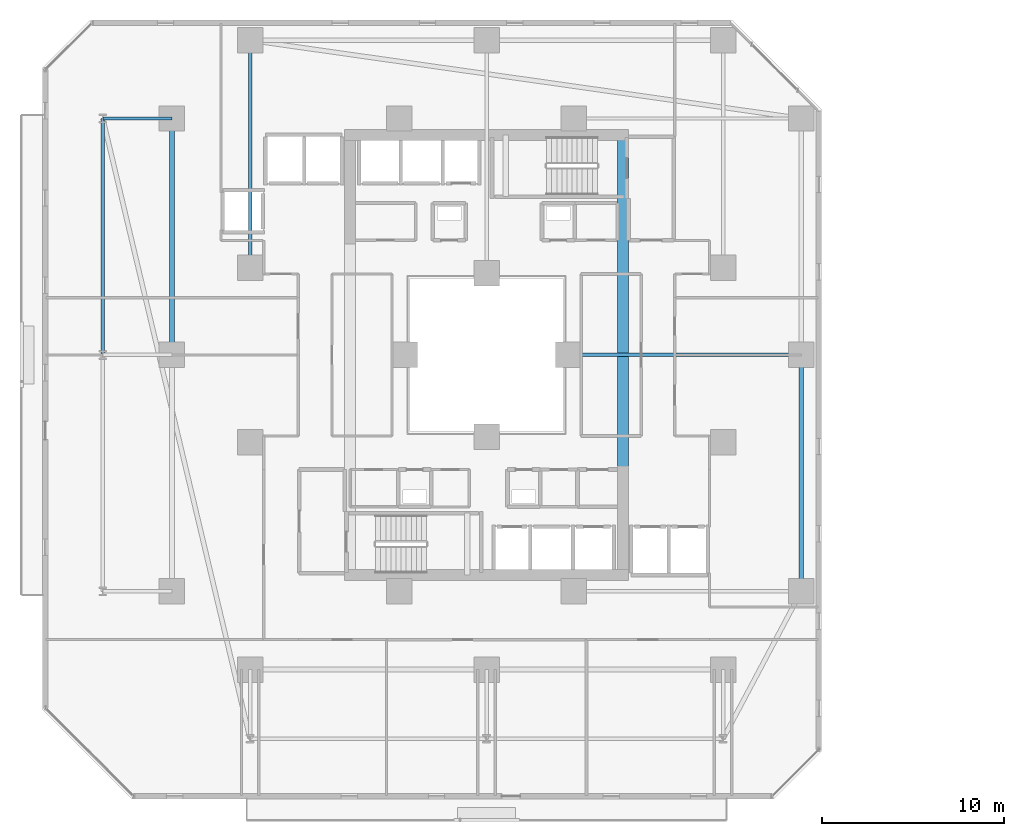
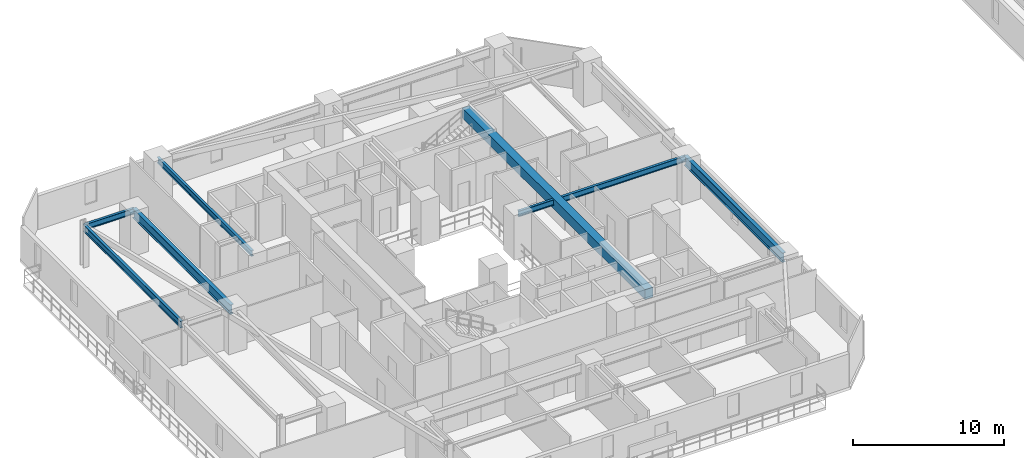
# One storey, part 6 of 33: 7 beams.
"""IFC4 building model written with IfcOpenShell, lengths in metres."""

from ifc_helpers import new_model, si_unit, direction, frame, origin, origin_2d, place, context, subcontext, project, spatial, rectangle, i_section, extrude, material, material_profile, profile_set, type_object, element, save


model = new_model("IFC4")

# Units and contexts
model_context = context("Model", 3, precision=1e-05, world=origin(), true_north=direction((0.0, 1.0)))
body_context = subcontext(model_context, "Body", "Model", "MODEL_VIEW")
ifc_project = project(units=[si_unit("LENGTHUNIT", "METRE"), si_unit("AREAUNIT", "SQUARE_METRE"), si_unit("VOLUMEUNIT", "CUBIC_METRE"), si_unit("PLANEANGLEUNIT", "RADIAN"), si_unit("MASSUNIT", "GRAM", prefix="KILO")], contexts=[model_context])

# Site, building, storey
site_placement = place(None, origin())
site = spatial("IfcSite", under=ifc_project, at=site_placement, CompositionType="ELEMENT")
building_placement = place(site_placement, origin())
building = spatial("IfcBuilding", under=site, at=building_placement, Name="Thornwick Lancets Civic Towers", CompositionType="ELEMENT")
storey_placement = place(building_placement, frame((0.0, 0.0, 42.300048828125)))
storey = spatial("IfcBuildingStorey", under=building, at=storey_placement, Name="L10", CompositionType="ELEMENT", Elevation=42.300048828125)

# Beams
ifc_material_1 = material(Name="Concrete C60/75", Category="concrete")
ifc_material_profile_1 = material_profile(ifc_material_1, rectangle(XDim=0.60009765625, YDim=0.800048828125, at=origin_2d()), Name="RC 600x800")
ifc_profile_set_1 = profile_set([ifc_material_profile_1], Name="Concrete C60/75")
beam_type_1 = type_object("IfcBeamType", Name="BM_COUP_RC800", PredefinedType="BEAM", material=ifc_profile_set_1)
beam_1_placement = place(storey_placement, frame((33.0, 14.89990234375, 2.9599609375), z_axis=(0.0, 1.0, 0.0), x_axis=(-1.0, 0.0, 0.0)))
element("IfcBeam", 1, at=beam_1_placement, inside=storey, type_object=beam_type_1, Name="CB-L10-A1", PredefinedType="BEAM", context=body_context, shape_type="SweptSolid", body=[
    extrude(rectangle(XDim=0.60009765625, YDim=0.800048828125, at=origin_2d()), origin(), (0.0, 0.0, 1.0), 24.2001953125),
])
ifc_material_2 = material(Name="Steel S355JR", Category="steel")
ifc_material_profile_2 = material_profile(ifc_material_2, i_section(OverallWidth=0.2119140625, OverallDepth=0.54443359375, WebThickness=0.0126953125, FlangeThickness=0.021240234375, FilletRadius=0.0126953125, at=origin_2d()), Name="UKB 533x210x122")
ifc_profile_set_2 = profile_set([ifc_material_profile_2], Name="Steel S355JR")
beam_type_2 = type_object("IfcBeamType", Name="BM_EDGE_533_122", PredefinedType="SPANDREL", material=ifc_profile_set_2)
beam_2_placement = place(storey_placement, frame((4.39990234375, 27.080078125, 3.087646484375), z_axis=(0.0, 1.0, 0.0), x_axis=(-1.0, 0.0, 0.0)))
element("IfcBeam", 2, at=beam_2_placement, inside=storey, type_object=beam_type_2, Name="BM-EDGE-L10-A-S3-2", PredefinedType="SPANDREL", context=body_context, shape_type="SweptSolid", body=[
    extrude(i_section(OverallWidth=0.2119140625, OverallDepth=0.54443359375, WebThickness=0.0126953125, FlangeThickness=0.021240234375, FilletRadius=0.0126953125, at=origin_2d()), origin(), (0.0, 0.0, 1.0), 12.919921875),
])
ifc_material_profile_3 = material_profile(ifc_material_2, i_section(OverallWidth=0.26806640625, OverallDepth=0.769775390625, WebThickness=0.015625, FlangeThickness=0.025390625, FilletRadius=0.0166015625, at=origin_2d()), Name="UKB 762x267x197")
ifc_profile_set_3 = profile_set([ifc_material_profile_3], Name="Steel S355JR")
beam_type_3 = type_object("IfcBeamType", Name="BM_GIRD_762_197", PredefinedType="BEAM", material=ifc_profile_set_3)
beam_3_placement = place(storey_placement, frame((42.800048828125, 14.0, 2.97509765625), z_axis=(0.0, 1.0, 0.0), x_axis=(-1.0, 0.0, 0.0)))
element("IfcBeam", 3, at=beam_3_placement, inside=storey, type_object=beam_type_3, Name="BM-SPINE-L10-A-3-4", PredefinedType="BEAM", context=body_context, shape_type="SweptSolid", body=[
    extrude(i_section(OverallWidth=0.26806640625, OverallDepth=0.769775390625, WebThickness=0.015625, FlangeThickness=0.025390625, FilletRadius=0.0166015625, at=origin_2d()), origin(), (0.0, 0.0, 1.0), 13.0),
])
beam_4_placement = place(storey_placement, frame((8.199951171875, 27.080078125, 2.97509765625), z_axis=(0.0, 1.0, 0.0), x_axis=(-1.0, 0.0, 0.0)))
element("IfcBeam", 4, at=beam_4_placement, inside=storey, type_object=beam_type_3, Name="BM-SPINE-L10-A-10-11", PredefinedType="BEAM", context=body_context, shape_type="SweptSolid", body=[
    extrude(i_section(OverallWidth=0.26806640625, OverallDepth=0.769775390625, WebThickness=0.015625, FlangeThickness=0.025390625, FilletRadius=0.0166015625, at=origin_2d()), origin(), (0.0, 0.0, 1.0), 12.919921875),
])
ifc_material_profile_4 = material_profile(ifc_material_2, i_section(OverallWidth=0.19189453125, OverallDepth=0.46337890625, WebThickness=0.010498046875, FlangeThickness=0.017578125, FilletRadius=0.01025390625, at=origin_2d()), Name="UKB 457x191x89")
ifc_profile_set_4 = profile_set([ifc_material_profile_4], Name="Steel S355JR")
beam_type_4 = type_object("IfcBeamType", Name="BM_JOIST_457_89", PredefinedType="JOIST", material=ifc_profile_set_4)
beam_5_placement = place(storey_placement, frame((30.0, 27.0, 3.128173828125), z_axis=(1.0, 0.0, 0.0), x_axis=(0.0, 1.0, 0.0)))
element("IfcBeam", 5, at=beam_5_placement, inside=storey, type_object=beam_type_4, Name="BM-RADIN-L10-A05", PredefinedType="JOIST", context=body_context, shape_type="SweptSolid", body=[
    extrude(i_section(OverallWidth=0.19189453125, OverallDepth=0.46337890625, WebThickness=0.010498046875, FlangeThickness=0.017578125, FilletRadius=0.01025390625, at=origin_2d()), origin(), (0.0, 0.0, 1.0), 12.800048828125),
])
beam_6_placement = place(storey_placement, frame((12.5, 31.800048828125, 3.128173828125), z_axis=(0.0, 1.0, 0.0), x_axis=(-1.0, 0.0, 0.0)))
element("IfcBeam", 6, at=beam_6_placement, inside=storey, type_object=beam_type_4, Name="BM-RADIN-L10-A07", PredefinedType="JOIST", context=body_context, shape_type="SweptSolid", body=[
    extrude(i_section(OverallWidth=0.19189453125, OverallDepth=0.46337890625, WebThickness=0.010498046875, FlangeThickness=0.017578125, FilletRadius=0.01025390625, at=origin_2d()), origin(), (0.0, 0.0, 1.0), 12.5),
])
beam_7_placement = place(storey_placement, frame((8.199951171875, 40.0, 3.128173828125), z_axis=(-1.0, 0.0, 0.0), x_axis=(0.0, -1.0, 0.0)))
element("IfcBeam", 7, at=beam_7_placement, inside=storey, type_object=beam_type_4, Name="BM-RAD-L10-A12", PredefinedType="JOIST", context=body_context, shape_type="SweptSolid", body=[
    extrude(i_section(OverallWidth=0.19189453125, OverallDepth=0.46337890625, WebThickness=0.010498046875, FlangeThickness=0.017578125, FilletRadius=0.01025390625, at=origin_2d()), origin(), (0.0, 0.0, 1.0), 3.800048828125),
])

save(model, "model.ifc")
